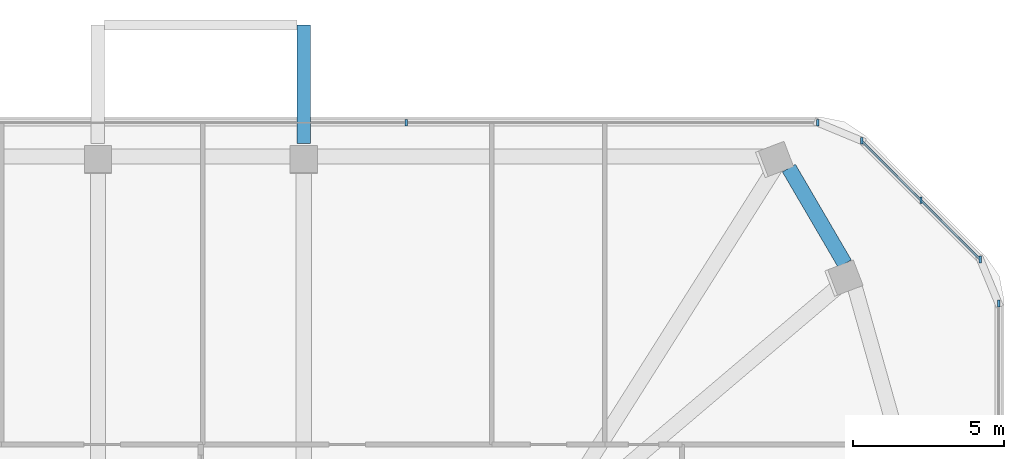
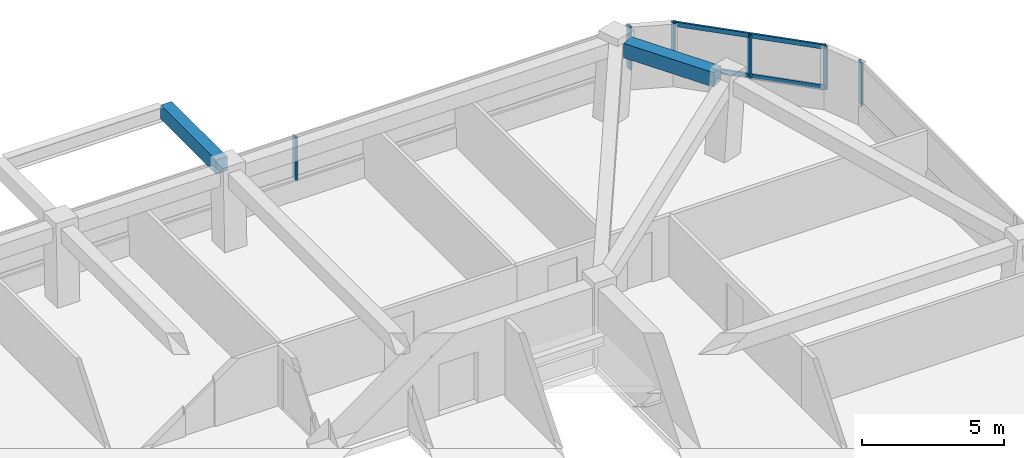
# One storey, part 6 of 13: 8 members, 2 beams, 3 elements without a shape of their own.
"""IFC4 building model written with IfcOpenShell, lengths in metres."""

from ifc_helpers import new_model, si_unit, derived_unit, direction, frame, origin, origin_2d, place, context, subcontext, project, spatial, rectangle, extrude, material, material_profile, profile_set, type_object, element, aggregate, save


model = new_model("IFC4")

# Units and contexts
model_context = context("Model", 3, precision=1e-05, world=origin(), true_north=direction((0.0, 1.0)))
body_context = subcontext(model_context, "Body", "Model", "MODEL_VIEW")
ifc_project = project(units=[si_unit("LENGTHUNIT", "METRE"), si_unit("AREAUNIT", "SQUARE_METRE"), si_unit("VOLUMEUNIT", "CUBIC_METRE"), si_unit("PLANEANGLEUNIT", "RADIAN"), si_unit("MASSUNIT", "GRAM", prefix="KILO"), derived_unit("THERMALTRANSMITTANCEUNIT", [(si_unit("POWERUNIT", "WATT"), 1), (si_unit("LENGTHUNIT", "METRE"), -2), (si_unit("THERMODYNAMICTEMPERATUREUNIT", "KELVIN"), -1)])], contexts=[model_context])

# Site, building, storey
site_placement = place(None, origin())
site = spatial("IfcSite", under=ifc_project, at=site_placement, CompositionType="ELEMENT")
building_placement = place(site_placement, origin())
building = spatial("IfcBuilding", under=site, at=building_placement, Name="Koralith Skygarden Medical Center", CompositionType="ELEMENT")
storey_placement = place(building_placement, frame((0.0, 0.0, 214.3798828125)))
storey = spatial("IfcBuildingStorey", under=building, at=storey_placement, Name="L55", CompositionType="ELEMENT", Elevation=214.3798828125)

# Curtain wall, member
ifc_material_1 = material(Name="Clear Laminated Glass", Category="glass")
curtain_wall_type = type_object("IfcCurtainWallType", Name="CW-5 Zone 4 Flare Biophilic Curtain Wall", PredefinedType="NOTDEFINED", material=ifc_material_1)
curtain_wall_1_placement = place(storey_placement, origin())
curtain_wall_1 = element("IfcCurtainWall", 1, at=curtain_wall_1_placement, inside=storey, type_object=curtain_wall_type, Name="Curtain Wall CW-L55-E", PredefinedType="NOTDEFINED")
ifc_material_2 = material(Name="Aluminium 6063-T6", Category="aluminium")
ifc_material_profile_1 = material_profile(ifc_material_2, rectangle(XDim=0.080078125, YDim=0.219970703125, at=origin_2d()), Name="MUL80X220")
ifc_profile_set_1 = profile_set([ifc_material_profile_1], Name="Aluminium 6063-T6")
member_type_1 = type_object("IfcMemberType", Name="CW-5 Extruded Mullion 80x220", PredefinedType="MULLION", material=ifc_profile_set_1)
member_1_placement = place(storey_placement, frame((63.35693359375, 42.31298828125, 0.85009765625), z_axis=(0.0, 0.0, 1.0), x_axis=(1.0, 0.0, 0.0)))
member_1 = element("IfcMember", 2, at=member_1_placement, type_object=member_type_1, Name="CW-L55-E Mullion 4", PredefinedType="MULLION", context=body_context, shape_type="SweptSolid", body=[
    extrude(rectangle(XDim=0.080078125, YDim=0.219970703125, at=origin_2d()), origin(), (0.0, 0.0, 1.0), 1.840087890625),
])
aggregate(curtain_wall_1, [member_1])

# Curtain wall, members
curtain_wall_2_placement = place(storey_placement, origin())
curtain_wall_2 = element("IfcCurtainWall", 3, at=curtain_wall_2_placement, inside=storey, type_object=curtain_wall_type, Name="Curtain Wall CW-L55-NE", PredefinedType="NOTDEFINED")
member_2_placement = place(storey_placement, frame((62.756103515625, 43.763916015625, 0.85009765625), z_axis=(0.0, 0.0, 1.0), x_axis=(1.0, 0.0, 0.0)))
member_2 = element("IfcMember", 4, at=member_2_placement, type_object=member_type_1, Name="CW-L55-NE Mullion 1", PredefinedType="MULLION", context=body_context, shape_type="SweptSolid", body=[
    extrude(rectangle(XDim=0.080078125, YDim=0.219970703125, at=origin_2d()), origin(), (0.0, 0.0, 1.0), 1.840087890625),
])
member_3_placement = place(storey_placement, frame((60.7939453125, 45.72509765625, 0.85009765625), z_axis=(0.0, 0.0, 1.0), x_axis=(1.0, 0.0, 0.0)))
member_3 = element("IfcMember", 5, at=member_3_placement, type_object=member_type_1, Name="CW-L55-NE Mullion 2", PredefinedType="MULLION", context=body_context, shape_type="SweptSolid", body=[
    extrude(rectangle(XDim=0.080078125, YDim=0.219970703125, at=origin_2d()), origin(), (0.0, 0.0, 1.0), 1.840087890625),
])
member_4_placement = place(storey_placement, frame((58.8330078125, 47.68701171875, 0.85009765625), z_axis=(0.0, 0.0, 1.0), x_axis=(1.0, 0.0, 0.0)))
member_4 = element("IfcMember", 6, at=member_4_placement, type_object=member_type_1, Name="CW-L55-NE Mullion 3", PredefinedType="MULLION", context=body_context, shape_type="SweptSolid", body=[
    extrude(rectangle(XDim=0.080078125, YDim=0.219970703125, at=origin_2d()), origin(), (0.0, 0.0, 1.0), 1.840087890625),
])

curtain_wall_3_placement = place(storey_placement, origin())
curtain_wall_3 = element("IfcCurtainWall", 7, at=curtain_wall_3_placement, inside=storey, type_object=curtain_wall_type, Name="Curtain Wall CW-L55-N", PredefinedType="NOTDEFINED")
member_5_placement = place(storey_placement, frame((57.382080078125, 48.2880859375, 0.85009765625), z_axis=(0.0, 0.0, 1.0), x_axis=(1.0, 0.0, 0.0)))
member_5 = element("IfcMember", 8, at=member_5_placement, type_object=member_type_1, Name="CW-L55-N Mullion 1", PredefinedType="MULLION", context=body_context, shape_type="SweptSolid", body=[
    extrude(rectangle(XDim=0.080078125, YDim=0.219970703125, at=origin_2d()), origin(), (0.0, 0.0, 1.0), 1.840087890625),
])
member_6_placement = place(storey_placement, frame((43.7939453125, 48.2880859375, 0.85009765625), z_axis=(0.0, 0.0, 1.0), x_axis=(1.0, 0.0, 0.0)))
member_6 = element("IfcMember", 9, at=member_6_placement, type_object=member_type_1, Name="CW-L55-N Mullion 2", PredefinedType="MULLION", context=body_context, shape_type="SweptSolid", body=[
    extrude(rectangle(XDim=0.080078125, YDim=0.219970703125, at=origin_2d()), origin(), (0.0, 0.0, 1.0), 1.840087890625),
])
aggregate(curtain_wall_3, [member_5, member_6])

# Member
ifc_material_profile_2 = material_profile(ifc_material_2, rectangle(XDim=0.074951171875, YDim=0.197998046875, at=origin_2d()), Name="TRN75X198")
ifc_profile_set_2 = profile_set([ifc_material_profile_2], Name="Aluminium 6063-T6")
member_type_2 = type_object("IfcMemberType", Name="CW-5 Thermal Transom 75x198", PredefinedType="USERDEFINED", material=ifc_profile_set_2)
member_7_placement = place(storey_placement, frame((62.756103515625, 43.763916015625, 0.900146484375), z_axis=(-0.707106781187, 0.707106781187, 0.0), x_axis=(-0.707106781187, -0.707106781187, 0.0)))
member_7 = element("IfcMember", 10, at=member_7_placement, type_object=member_type_2, Name="CW-L55-NE Transom 1", ObjectType="TRANSOM", PredefinedType="USERDEFINED", context=body_context, shape_type="SweptSolid", body=[
    extrude(rectangle(XDim=0.074951171875, YDim=0.197998046875, at=origin_2d()), origin(), (0.0, 0.0, 1.0), 5.548095703125),
])

member_8_placement = place(storey_placement, frame((62.756103515625, 43.763916015625, 2.64013671875), z_axis=(-0.707106781187, 0.707106781187, 0.0), x_axis=(-0.707106781187, -0.707106781187, 0.0)))
member_8 = element("IfcMember", 11, at=member_8_placement, type_object=member_type_2, Name="CW-L55-NE Transom 2", ObjectType="TRANSOM", PredefinedType="USERDEFINED", context=body_context, shape_type="SweptSolid", body=[
    extrude(rectangle(XDim=0.074951171875, YDim=0.197998046875, at=origin_2d()), origin(), (0.0, 0.0, 1.0), 5.548095703125),
])

aggregate(curtain_wall_2, [member_2, member_3, member_4, member_7, member_8])

# Beams
ifc_material_3 = material(Name="Concrete C45/55", Category="concrete")
ifc_material_profile_3 = material_profile(ifc_material_3, rectangle(XDim=0.449951171875, YDim=0.60009765625, at=origin_2d()), Name="RCB450X600")
ifc_profile_set_3 = profile_set([ifc_material_profile_3], Name="Concrete C45/55")
beam_type_1 = type_object("IfcBeamType", Name="Planted Balcony Cantilever Beam RCB450X600", PredefinedType="BEAM", material=ifc_profile_set_3)
beam_1_placement = place(storey_placement, frame((40.39990234375, 47.593994140625, 3.0400390625), z_axis=(0.0, 1.0, 0.0), x_axis=(-1.0, 0.0, 0.0)))
element("IfcBeam", 12, at=beam_1_placement, inside=storey, type_object=beam_type_1, Name="L56 N Balcony Cantilever Beam B", PredefinedType="BEAM", context=body_context, shape_type="SweptSolid", body=[
    extrude(rectangle(XDim=0.449951171875, YDim=0.60009765625, at=origin_2d()), origin(), (0.0, 0.0, 1.0), 3.919921875),
])
ifc_material_profile_4 = material_profile(ifc_material_3, rectangle(XDim=0.5, YDim=0.6201171875, at=origin_2d()), Name="RCB500X620")
ifc_profile_set_4 = profile_set([ifc_material_profile_4], Name="Concrete C45/55")
beam_type_2 = type_object("IfcBeamType", Name="Zone 4-5 Spandrel Beam RCB500X620", PredefinedType="SPANDREL", material=ifc_profile_set_4)
beam_2_placement = place(storey_placement, frame((58.277099609375, 43.6240234375, 3.010009765625), z_axis=(-0.504662936205, 0.863316466205, 0.0), x_axis=(-0.863316466205, -0.504662936205, 0.0)))
element("IfcBeam", 13, at=beam_2_placement, inside=storey, type_object=beam_type_2, Name="L55 Perimeter Spandrel Beam SP-10", PredefinedType="SPANDREL", context=body_context, shape_type="SweptSolid", body=[
    extrude(rectangle(XDim=0.5, YDim=0.6201171875, at=origin_2d()), origin(), (0.0, 0.0, 1.0), 3.66015625),
])

save(model, "model.ifc")
